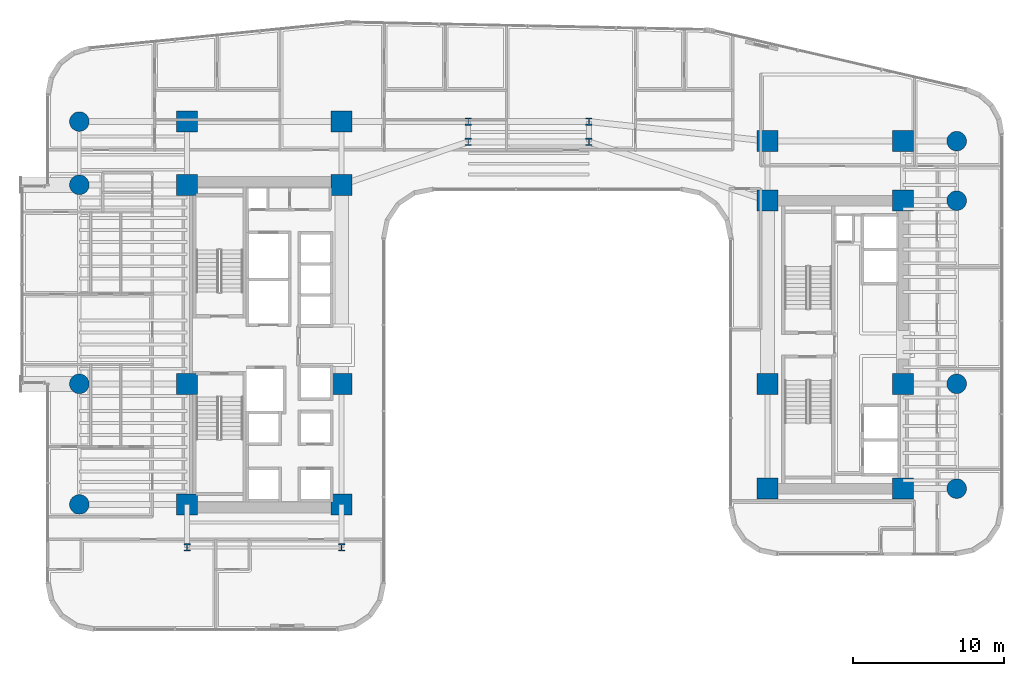
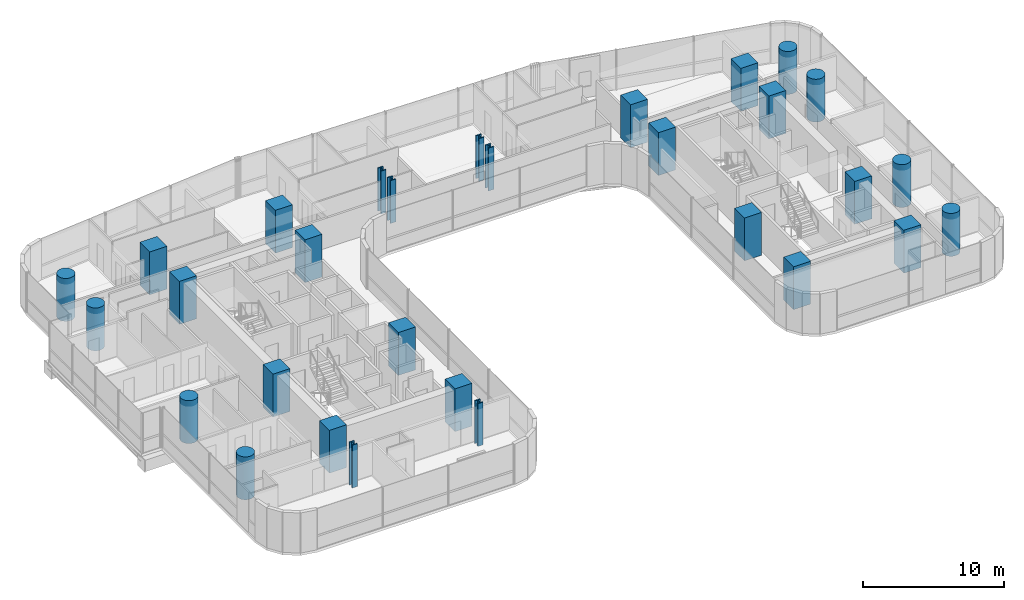
# One storey, part 1 of 40: 30 columns.
"""IFC4 building model written with IfcOpenShell, lengths in metres."""

from ifc_helpers import new_model, si_unit, direction, frame, origin, origin_2d, place, context, subcontext, project, spatial, rectangle, circle, i_section, extrude, source, transform, mapped, material, material_profile, profile_set, type_object, element, save


model = new_model("IFC4")

# Units and contexts
model_context = context("Model", 3, precision=1e-05, world=origin(), true_north=direction((0.0, 1.0)))
body_context = subcontext(model_context, "Body", "Model", "MODEL_VIEW")
ifc_project = project(units=[si_unit("LENGTHUNIT", "METRE"), si_unit("AREAUNIT", "SQUARE_METRE"), si_unit("VOLUMEUNIT", "CUBIC_METRE"), si_unit("PLANEANGLEUNIT", "RADIAN"), si_unit("MASSUNIT", "GRAM", prefix="KILO")], contexts=[model_context])

# Site, building, storey
site_placement = place(None, origin())
site = spatial("IfcSite", under=ifc_project, at=site_placement, CompositionType="ELEMENT")
building_placement = place(site_placement, origin())
building = spatial("IfcBuilding", under=site, at=building_placement, Name="Valdorenza Pilgrim Sanctuary Tower", CompositionType="ELEMENT")
storey_placement = place(building_placement, frame((0.0, 0.0, 44.5)))
storey = spatial("IfcBuildingStorey", under=building, at=storey_placement, Name="L10", CompositionType="ELEMENT", Elevation=44.5)

# Columns
ifc_material_1 = material(Name="Concrete C60/75", Category="concrete")
ifc_material_profile_1 = material_profile(ifc_material_1, circle(Radius=0.64990234375, at=origin_2d()), Name="RC D1300")
ifc_profile_set_1 = profile_set([ifc_material_profile_1], Name="Concrete C60/75")
column_type_1 = type_object("IfcColumnType", Name="COL-RND-1300", PredefinedType="COLUMN", material=ifc_profile_set_1)
shared_shape_1 = source(origin(), body_context, "Body", "SweptSolid", [
    extrude(circle(Radius=0.64990234375, at=origin_2d()), origin(), (0.0, 0.0, 1.0), 3.699951171875),
])
for number, where, z_axis, x_axis, name in (
    (1, (-29.800048828125, -10.60009765625, 0.0), (0.0, 0.0, 1.0), (1.0, 0.0, 0.0), "L10 Perimeter Column WA-W-S1"),
    (2, (-29.800048828125, -2.60009765625, 0.0), (0.0, 0.0, 1.0), (1.0, 0.0, 0.0), "L10 Perimeter Column WA-W-M0"),
    (3, (-29.800048828125, 10.60009765625, 0.0), (0.0, 0.0, 1.0), (1.0, 0.0, 0.0), "L10 Perimeter Column WA-W-N1"),
    (4, (-29.800048828125, 14.800048828125, 0.0), (0.0, 0.0, 1.0), (1.0, 0.0, 0.0), "L10 Perimeter Column WA-W-N2"),
    (5, (28.39990234375, -9.550048828125, 0.0), (0.0, 0.0, 1.0), (1.0, 0.0, 0.0), "L10 Perimeter Column WB-E-S1"),
    (6, (28.39990234375, -2.60009765625, 0.0), (0.0, 0.0, 1.0), (1.0, 0.0, 0.0), "L10 Perimeter Column WB-E-M0"),
    (7, (28.39990234375, 9.550048828125, 0.0), (0.0, 0.0, 1.0), (1.0, 0.0, 0.0), "L10 Perimeter Column WB-E-N1"),
    (8, (28.39990234375, 13.5, 0.0), (0.0, 0.0, 1.0), (1.0, 0.0, 0.0), "L10 Perimeter Column WB-E-N2"),
):
    element("IfcColumn", number, at=place(storey_placement, frame(where, z_axis=z_axis, x_axis=x_axis)), inside=storey, type_object=column_type_1, Name=name, PredefinedType="COLUMN", context=body_context, shape_type="MappedRepresentation", body=[
        mapped(shared_shape_1, transform((0.0, 0.0, 0.0), x_axis=(1.0, 0.0, 0.0), y_axis=(0.0, 1.0, 0.0), z_axis=(0.0, 0.0, 1.0), scale=1.0)),
    ])
ifc_material_profile_2 = material_profile(ifc_material_1, rectangle(XDim=1.39990234375, YDim=1.39990234375, at=origin_2d()), Name="RC 1400x1400")
ifc_profile_set_2 = profile_set([ifc_material_profile_2], Name="Concrete C60/75")
column_type_2 = type_object("IfcColumnType", Name="COL-Z1-1400", PredefinedType="COLUMN", material=ifc_profile_set_2)
shared_shape_2 = source(origin(), body_context, "Body", "SweptSolid", [
    extrude(rectangle(XDim=1.39990234375, YDim=1.39990234375, at=origin_2d()), origin(), (0.0, 0.0, 1.0), 3.699951171875),
])
for number, where, z_axis, x_axis, name in (
    (9, (-22.64990234375, -10.60009765625, 0.0), (0.0, 0.0, 1.0), (1.0, 0.0, 0.0), "L10 Column CA-W-S1"),
    (10, (-12.39990234375, -10.60009765625, 0.0), (0.0, 0.0, 1.0), (1.0, 0.0, 0.0), "L10 Column CA-E-S1"),
    (11, (-22.64990234375, -2.60009765625, 0.0), (0.0, 0.0, 1.0), (1.0, 0.0, 0.0), "L10 Column CA-W-M0"),
    (12, (-12.39990234375, -2.60009765625, 0.0), (0.0, 0.0, 1.0), (1.0, 0.0, 0.0), "L10 Column CA-E-M0"),
    (13, (-22.64990234375, 10.60009765625, 0.0), (0.0, 0.0, 1.0), (1.0, 0.0, 0.0), "L10 Column CA-W-N1"),
    (14, (-12.39990234375, 10.60009765625, 0.0), (0.0, 0.0, 1.0), (1.0, 0.0, 0.0), "L10 Column CA-E-N1"),
    (15, (-22.64990234375, 14.800048828125, 0.0), (0.0, 0.0, 1.0), (1.0, 0.0, 0.0), "L10 Column CA-W-N2"),
    (16, (-12.39990234375, 14.800048828125, 0.0), (0.0, 0.0, 1.0), (1.0, 0.0, 0.0), "L10 Column CA-E-N2"),
    (17, (15.85009765625, -9.550048828125, 0.0), (0.0, 0.0, 1.0), (1.0, 0.0, 0.0), "L10 Column CB-W-S1"),
    (18, (24.85009765625, -9.550048828125, 0.0), (0.0, 0.0, 1.0), (1.0, 0.0, 0.0), "L10 Column CB-E-S1"),
    (19, (15.85009765625, -2.60009765625, 0.0), (0.0, 0.0, 1.0), (1.0, 0.0, 0.0), "L10 Column CB-W-M0"),
    (20, (24.85009765625, -2.60009765625, 0.0), (0.0, 0.0, 1.0), (1.0, 0.0, 0.0), "L10 Column CB-E-M0"),
    (21, (15.85009765625, 9.550048828125, 0.0), (0.0, 0.0, 1.0), (1.0, 0.0, 0.0), "L10 Column CB-W-N1"),
    (22, (24.85009765625, 9.550048828125, 0.0), (0.0, 0.0, 1.0), (1.0, 0.0, 0.0), "L10 Column CB-E-N1"),
    (23, (15.85009765625, 13.5, 0.0), (0.0, 0.0, 1.0), (1.0, 0.0, 0.0), "L10 Column CB-W-N2"),
    (24, (24.85009765625, 13.5, 0.0), (0.0, 0.0, 1.0), (1.0, 0.0, 0.0), "L10 Column CB-E-N2"),
):
    element("IfcColumn", number, at=place(storey_placement, frame(where, z_axis=z_axis, x_axis=x_axis)), inside=storey, type_object=column_type_2, Name=name, PredefinedType="COLUMN", context=body_context, shape_type="MappedRepresentation", body=[
        mapped(shared_shape_2, transform((0.0, 0.0, 0.0), x_axis=(1.0, 0.0, 0.0), y_axis=(0.0, 1.0, 0.0), z_axis=(0.0, 0.0, 1.0), scale=1.0)),
    ])
ifc_material_2 = material(Name="Steel ASTM A992 Grade 50", Category="steel")
ifc_material_profile_3 = material_profile(ifc_material_2, i_section(OverallWidth=0.431884765625, OverallDepth=0.498046875, WebThickness=0.0556640625, FlangeThickness=0.0888671875, at=origin_2d()), Name="W14X500")
ifc_profile_set_3 = profile_set([ifc_material_profile_3], Name="Steel ASTM A992 Grade 50")
column_type_3 = type_object("IfcColumnType", Name="COL-STL-W500", PredefinedType="COLUMN", material=ifc_profile_set_3)
shared_shape_3 = source(origin(), body_context, "Body", "SweptSolid", [
    extrude(i_section(OverallWidth=0.431884765625, OverallDepth=0.498046875, WebThickness=0.0556640625, FlangeThickness=0.0888671875, at=origin_2d()), origin(), (0.0, 0.0, 1.0), 3.699951171875),
])
for number, where, z_axis, x_axis, name in (
    (25, (-22.64990234375, -13.449951171875, 0.0), (0.0, 0.0, 1.0), (1.0, 0.0, 0.0), "L10 Column WA-S-W"),
    (26, (-12.39990234375, -13.449951171875, 0.0), (0.0, 0.0, 1.0), (1.0, 0.0, 0.0), "L10 Column WA-S-E"),
    (27, (-4.0, 13.449951171875, 0.0), (0.0, 0.0, 1.0), (1.0, 0.0, 0.0), "L10 Column KNK-W1"),
    (28, (-4.0, 14.800048828125, 0.0), (0.0, 0.0, 1.0), (1.0, 0.0, 0.0), "L10 Column KNK-W2"),
    (29, (4.0, 13.449951171875, 0.0), (0.0, 0.0, 1.0), (1.0, 0.0, 0.0), "L10 Column KNK-E1"),
    (30, (4.0, 14.800048828125, 0.0), (0.0, 0.0, 1.0), (1.0, 0.0, 0.0), "L10 Column KNK-E2"),
):
    element("IfcColumn", number, at=place(storey_placement, frame(where, z_axis=z_axis, x_axis=x_axis)), inside=storey, type_object=column_type_3, Name=name, PredefinedType="COLUMN", context=body_context, shape_type="MappedRepresentation", body=[
        mapped(shared_shape_3, transform((0.0, 0.0, 0.0), x_axis=(1.0, 0.0, 0.0), y_axis=(0.0, 1.0, 0.0), z_axis=(0.0, 0.0, 1.0), scale=1.0)),
    ])

save(model, "model.ifc")
